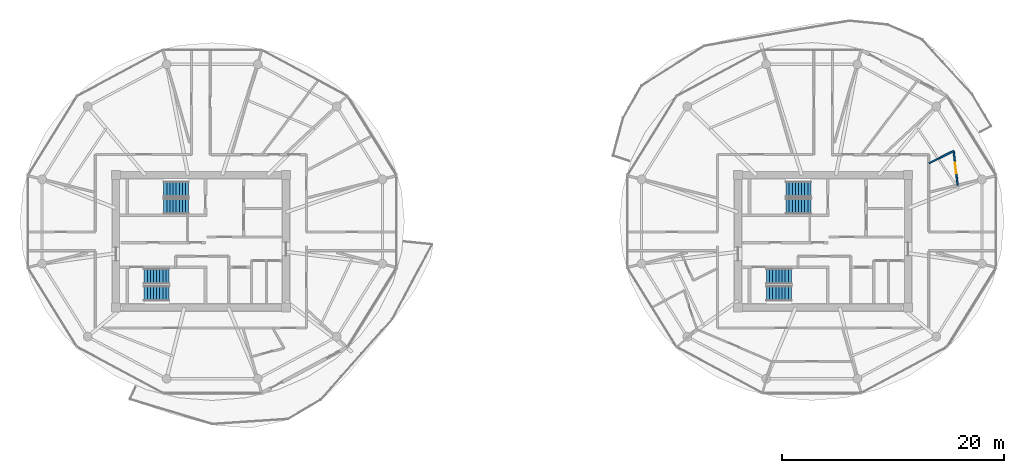
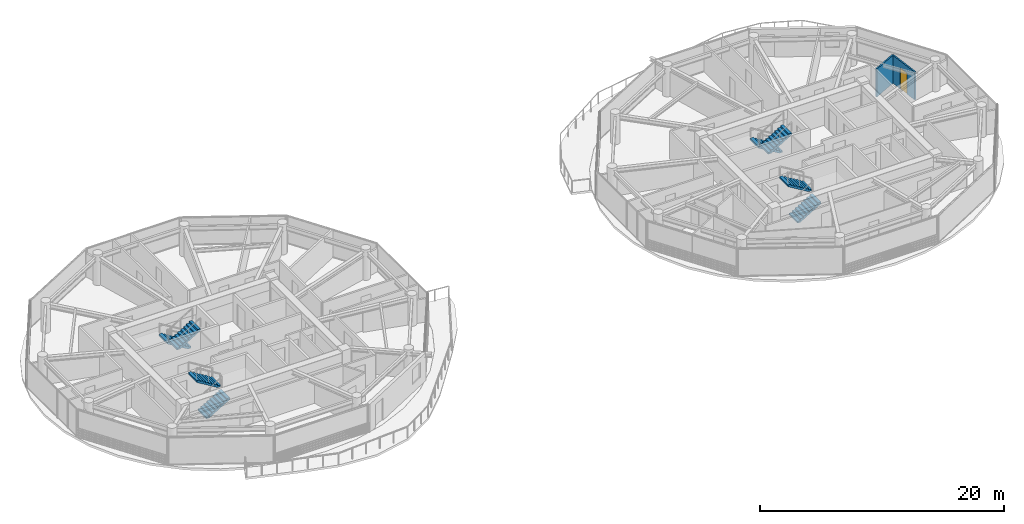
# One storey, part 17 of 22: 8 stair flights, 2 walls, 1 door, 1 opening, 4 elements without a shape of their own.
"""IFC4 building model written with IfcOpenShell, lengths in metres."""

from ifc_helpers import new_model, si_unit, direction, frame, frame_2d, origin, place, context, subcontext, project, spatial, polyline, rectangle, outline, extrude, source, transform, mapped, material, layer, layer_set, type_object, type_shapes, element, fill, aggregate, save


model = new_model("IFC4")

# Units and contexts
model_context = context("Model", 3, precision=1e-05, world=origin(), true_north=direction((0.0, 1.0)))
body_context = subcontext(model_context, "Body", "Model", "MODEL_VIEW")
ifc_project = project(units=[si_unit("LENGTHUNIT", "METRE"), si_unit("AREAUNIT", "SQUARE_METRE"), si_unit("VOLUMEUNIT", "CUBIC_METRE"), si_unit("PLANEANGLEUNIT", "RADIAN"), si_unit("MASSUNIT", "GRAM", prefix="KILO")], contexts=[model_context])

# Site, building, storey
site_placement = place(None, origin())
site = spatial("IfcSite", under=ifc_project, at=site_placement, CompositionType="ELEMENT")
building_placement = place(site_placement, origin())
building = spatial("IfcBuilding", under=site, at=building_placement, Name="Norrkilde Senior Care Towers", CompositionType="ELEMENT")
storey_placement = place(building_placement, frame((0.0, 0.0, 180.050048828125)))
storey = spatial("IfcBuildingStorey", under=building, at=storey_placement, Name="L56", CompositionType="ELEMENT", Elevation=180.050048828125)

# Wall
ifc_material_1 = material(Name="Gypsum Acoustic Board")
ifc_layer = layer(ifc_material_1, 0.139892578125)
ifc_layer_set = layer_set([ifc_layer], Name="Gypsum Acoustic Board")
wall_type = type_object("IfcWallType", Name="En-suite Wet Room Wall 140", PredefinedType="PARTITIONING", material=ifc_layer_set)
shared_shape_1 = source(origin(), body_context, "Body", "SweptSolid", [
    extrude(rectangle(XDim=2.470703125, YDim=0.139892578125, at=frame_2d((1.2353515625, 0.0))), origin(), (0.0, 0.0, 1.0), 2.794921875),
])
wall_1_placement = place(storey_placement, frame((37.530029296875, 7.026123046875, 0.0), z_axis=(0.0, 0.0, 1.0), x_axis=(0.895295102372, 0.445473545419, 0.0)))
element("IfcWall", 1, at=wall_1_placement, inside=storey, type_object=wall_type, Name="WL-INT-L56-E-ES-00", PredefinedType="PARTITIONING", context=body_context, shape_type="MappedRepresentation", body=[
    mapped(shared_shape_1, transform((0.0, 0.0, 0.0), x_axis=(1.0, 0.0, 0.0), y_axis=(0.0, 1.0, 0.0), z_axis=(0.0, 0.0, 1.0), scale=1.0)),
])

# Wall, opening, door
shared_shape_2 = source(origin(), body_context, "Body", "SweptSolid", [
    extrude(rectangle(XDim=3.10107421875, YDim=0.139892578125, at=frame_2d((1.550537109375, 0.0))), origin(), (0.0, 0.0, 1.0), 2.794921875),
])
type_shapes(wall_type, [shared_shape_1, shared_shape_2])
wall_2_placement = place(storey_placement, frame((39.741943359375, 8.126708984375, 0.0), z_axis=(0.0, 0.0, 1.0), x_axis=(0.116754457614, -0.993160811061, 0.0)))
wall_2 = element("IfcWall", 2, at=wall_2_placement, inside=storey, type_object=wall_type, Name="WL-INT-L56-E-EF-00", PredefinedType="PARTITIONING", context=body_context, shape_type="MappedRepresentation", body=[
    mapped(shared_shape_2, transform((0.0, 0.0, 0.0), x_axis=(1.0, 0.0, 0.0), y_axis=(0.0, 1.0, 0.0), z_axis=(0.0, 0.0, 1.0), scale=1.0)),
])
opening_placement = place(wall_2_placement, frame((1.09033203125, 0.0, 0.0)))
opening = element("IfcOpeningElement", 3, at=opening_placement, cuts=wall_2, Name="Opening D-08", PredefinedType="OPENING", context=body_context, shape_type="SweptSolid", body=[
    extrude(rectangle(XDim=0.919921875, YDim=2.10009765625, at=frame_2d((0.4599609375, 1.050048828125))), frame((0.0, 0.079833984375, 0.0), z_axis=(0.0, -1.0, 0.0), x_axis=(1.0, 0.0, 0.0)), (0.0, 0.0, 1.0), 0.159912109375),
])
ifc_material_2 = material(Name="Nordic Ash Timber", Category="wood")
door_type = type_object("IfcDoorType", Name="Accessible Wet Room Door 920x2100", OperationType="NOTDEFINED", PredefinedType="DOOR", material=ifc_material_2)
shared_shape_3 = source(origin(), body_context, "Body", "SweptSolid", [
    extrude(rectangle(XDim=0.919921875, YDim=2.10009765625, at=frame_2d((0.4599609375, 1.050048828125))), frame((0.0, 0.02490234375, 0.0), z_axis=(0.0, -1.0, 0.0), x_axis=(1.0, 0.0, 0.0)), (0.0, 0.0, 1.0), 0.050048828125),
])
type_shapes(door_type, [shared_shape_3])
door_placement = place(opening_placement, origin())
door = element("IfcDoor", 4, at=door_placement, inside=storey, type_object=door_type, Name="L56 Studio 56A Bathroom Door", OperationType="SINGLE_SWING_RIGHT", OverallHeight=2.10009765625, OverallWidth=0.919921875, PredefinedType="DOOR", context=body_context, shape_type="MappedRepresentation", body=[
    mapped(shared_shape_3, transform((0.0, 0.0, 0.0), x_axis=(1.0, 0.0, 0.0), y_axis=(0.0, 1.0, 0.0), z_axis=(0.0, 0.0, 1.0), scale=1.0)),
])
fill(opening, door)

# Stair, stair flights
ifc_material_3 = material(Name="Concrete C45/55", Category="concrete")
stair_type = type_object("IfcStairType", Name="Core Protected Dogleg Stair Typical 3050", PredefinedType="HALF_TURN_STAIR", material=ifc_material_3)
stair_1_placement = place(storey_placement, origin())
stair_1 = element("IfcStair", 5, at=stair_1_placement, inside=storey, type_object=stair_type, Name="L56 Protected Core Stair W1", PredefinedType="HALF_TURN_STAIR")
stair_flight_type = type_object("IfcStairFlightType", Name="Core Protected Dogleg Stair Typical 3050 Flight", PredefinedType="STRAIGHT", material=ifc_material_3)
stair_flight_1_placement = place(storey_placement, frame((-29.10009765625, 4.699951171875, 0.0), z_axis=(0.0, 0.0, 1.0), x_axis=(-1.0, 0.0, 0.0)))
stair_flight_1 = element("IfcStairFlight", 6, at=stair_flight_1_placement, type_object=stair_flight_type, Name="ST-W1 flight 1", NumberOfRisers=9, NumberOfTreads=8, PredefinedType="STRAIGHT", RiserHeight=0.169444444, TreadLength=0.28, context=body_context, shape_type="SweptSolid", body=[
    extrude(outline(polyline([(0.0, 0.0), (0.0, 0.16943359375), (0.280029296875, 0.16943359375), (0.280029296875, 0.3388671875), (0.56005859375, 0.3388671875), (0.56005859375, 0.50830078125), (0.840087890625, 0.50830078125), (0.840087890625, 0.677734375), (1.1201171875, 0.677734375), (1.1201171875, 0.84716796875), (1.39990234375, 0.84716796875), (1.39990234375, 1.0166015625), (1.679931640625, 1.0166015625), (1.679931640625, 1.18603515625), (1.9599609375, 1.18603515625), (1.9599609375, 1.35546875), (2.239990234375, 1.35546875), (2.239990234375, 1.52490234375), (2.239990234375, 1.180419921875), (0.28955078125, 0.0), (0.0, 0.0)])), frame((0.0, 0.699951171875, 0.0), z_axis=(0.0, -1.0, 0.0), x_axis=(1.0, 0.0, 0.0)), (0.0, 0.0, 1.0), 1.39990234375),
])
stair_flight_2_placement = place(storey_placement, frame((-31.340087890625, 3.14990234375, 1.52490234375), z_axis=(0.0, 0.0, 1.0), x_axis=(1.0, 0.0, 0.0)))
stair_flight_2 = element("IfcStairFlight", 7, at=stair_flight_2_placement, type_object=stair_flight_type, Name="ST-W1 flight 2", NumberOfRisers=9, NumberOfTreads=8, PredefinedType="STRAIGHT", RiserHeight=0.169444444, TreadLength=0.28, context=body_context, shape_type="SweptSolid", body=[
    extrude(outline(polyline([(0.0, 0.0), (0.0, 0.16943359375), (0.280029296875, 0.16943359375), (0.280029296875, 0.3388671875), (0.56005859375, 0.3388671875), (0.56005859375, 0.50830078125), (0.840087890625, 0.50830078125), (0.840087890625, 0.677734375), (1.1201171875, 0.677734375), (1.1201171875, 0.84716796875), (1.39990234375, 0.84716796875), (1.39990234375, 1.0166015625), (1.679931640625, 1.0166015625), (1.679931640625, 1.18603515625), (1.9599609375, 1.18603515625), (1.9599609375, 1.35546875), (2.239990234375, 1.35546875), (2.239990234375, 1.52490234375), (2.239990234375, 1.180419921875), (0.28955078125, 0.0), (0.0, 0.0)])), frame((0.0, 0.699951171875, 0.0), z_axis=(0.0, -1.0, 0.0), x_axis=(1.0, 0.0, 0.0)), (0.0, 0.0, 1.0), 1.39990234375),
])
aggregate(stair_1, [stair_flight_1, stair_flight_2])

stair_2_placement = place(storey_placement, origin())
stair_2 = element("IfcStair", 8, at=stair_2_placement, inside=storey, type_object=stair_type, Name="L56 Protected Core Stair W2", PredefinedType="HALF_TURN_STAIR")
stair_flight_3_placement = place(storey_placement, frame((-33.10009765625, -4.699951171875, 0.0), z_axis=(0.0, 0.0, 1.0), x_axis=(1.0, 0.0, 0.0)))
stair_flight_3 = element("IfcStairFlight", 9, at=stair_flight_3_placement, type_object=stair_flight_type, Name="ST-W2 flight 1", NumberOfRisers=9, NumberOfTreads=8, PredefinedType="STRAIGHT", RiserHeight=0.169444444, TreadLength=0.28, context=body_context, shape_type="SweptSolid", body=[
    extrude(outline(polyline([(0.0, 0.0), (0.0, 0.16943359375), (0.280029296875, 0.16943359375), (0.280029296875, 0.3388671875), (0.56005859375, 0.3388671875), (0.56005859375, 0.50830078125), (0.840087890625, 0.50830078125), (0.840087890625, 0.677734375), (1.1201171875, 0.677734375), (1.1201171875, 0.84716796875), (1.39990234375, 0.84716796875), (1.39990234375, 1.0166015625), (1.679931640625, 1.0166015625), (1.679931640625, 1.18603515625), (1.9599609375, 1.18603515625), (1.9599609375, 1.35546875), (2.239990234375, 1.35546875), (2.239990234375, 1.52490234375), (2.239990234375, 1.180419921875), (0.28955078125, 0.0), (0.0, 0.0)])), frame((0.0, 0.699951171875, 0.0), z_axis=(0.0, -1.0, 0.0), x_axis=(1.0, 0.0, 0.0)), (0.0, 0.0, 1.0), 1.39990234375),
])
stair_flight_4_placement = place(storey_placement, frame((-30.860107421875, -3.14990234375, 1.52490234375), z_axis=(0.0, 0.0, 1.0), x_axis=(-1.0, 0.0, 0.0)))
stair_flight_4 = element("IfcStairFlight", 10, at=stair_flight_4_placement, type_object=stair_flight_type, Name="ST-W2 flight 2", NumberOfRisers=9, NumberOfTreads=8, PredefinedType="STRAIGHT", RiserHeight=0.169444444, TreadLength=0.28, context=body_context, shape_type="SweptSolid", body=[
    extrude(outline(polyline([(0.0, 0.0), (0.0, 0.16943359375), (0.280029296875, 0.16943359375), (0.280029296875, 0.3388671875), (0.56005859375, 0.3388671875), (0.56005859375, 0.50830078125), (0.840087890625, 0.50830078125), (0.840087890625, 0.677734375), (1.1201171875, 0.677734375), (1.1201171875, 0.84716796875), (1.39990234375, 0.84716796875), (1.39990234375, 1.0166015625), (1.679931640625, 1.0166015625), (1.679931640625, 1.18603515625), (1.9599609375, 1.18603515625), (1.9599609375, 1.35546875), (2.239990234375, 1.35546875), (2.239990234375, 1.52490234375), (2.239990234375, 1.180419921875), (0.28955078125, 0.0), (0.0, 0.0)])), frame((0.0, 0.699951171875, 0.0), z_axis=(0.0, -1.0, 0.0), x_axis=(1.0, 0.0, 0.0)), (0.0, 0.0, 1.0), 1.39990234375),
])
aggregate(stair_2, [stair_flight_3, stair_flight_4])

stair_3_placement = place(storey_placement, origin())
stair_3 = element("IfcStair", 11, at=stair_3_placement, inside=storey, type_object=stair_type, Name="L56 Protected Core Stair E1", PredefinedType="HALF_TURN_STAIR")
stair_flight_5_placement = place(storey_placement, frame((26.89990234375, 4.699951171875, 0.0), z_axis=(0.0, 0.0, 1.0), x_axis=(-1.0, 0.0, 0.0)))
stair_flight_5 = element("IfcStairFlight", 12, at=stair_flight_5_placement, type_object=stair_flight_type, Name="ST-E1 flight 1", NumberOfRisers=9, NumberOfTreads=8, PredefinedType="STRAIGHT", RiserHeight=0.169444444, TreadLength=0.28, context=body_context, shape_type="SweptSolid", body=[
    extrude(outline(polyline([(0.0, 0.0), (0.0, 0.16943359375), (0.280029296875, 0.16943359375), (0.280029296875, 0.3388671875), (0.56005859375, 0.3388671875), (0.56005859375, 0.50830078125), (0.840087890625, 0.50830078125), (0.840087890625, 0.677734375), (1.1201171875, 0.677734375), (1.1201171875, 0.84716796875), (1.39990234375, 0.84716796875), (1.39990234375, 1.0166015625), (1.679931640625, 1.0166015625), (1.679931640625, 1.18603515625), (1.9599609375, 1.18603515625), (1.9599609375, 1.35546875), (2.239990234375, 1.35546875), (2.239990234375, 1.52490234375), (2.239990234375, 1.180419921875), (0.28955078125, 0.0), (0.0, 0.0)])), frame((0.0, 0.699951171875, 0.0), z_axis=(0.0, -1.0, 0.0), x_axis=(1.0, 0.0, 0.0)), (0.0, 0.0, 1.0), 1.39990234375),
])
stair_flight_6_placement = place(storey_placement, frame((24.659912109375, 3.14990234375, 1.52490234375), z_axis=(0.0, 0.0, 1.0), x_axis=(1.0, 0.0, 0.0)))
stair_flight_6 = element("IfcStairFlight", 13, at=stair_flight_6_placement, type_object=stair_flight_type, Name="ST-E1 flight 2", NumberOfRisers=9, NumberOfTreads=8, PredefinedType="STRAIGHT", RiserHeight=0.169444444, TreadLength=0.28, context=body_context, shape_type="SweptSolid", body=[
    extrude(outline(polyline([(0.0, 0.0), (0.0, 0.16943359375), (0.280029296875, 0.16943359375), (0.280029296875, 0.3388671875), (0.56005859375, 0.3388671875), (0.56005859375, 0.50830078125), (0.840087890625, 0.50830078125), (0.840087890625, 0.677734375), (1.1201171875, 0.677734375), (1.1201171875, 0.84716796875), (1.39990234375, 0.84716796875), (1.39990234375, 1.0166015625), (1.679931640625, 1.0166015625), (1.679931640625, 1.18603515625), (1.9599609375, 1.18603515625), (1.9599609375, 1.35546875), (2.239990234375, 1.35546875), (2.239990234375, 1.52490234375), (2.239990234375, 1.180419921875), (0.28955078125, 0.0), (0.0, 0.0)])), frame((0.0, 0.699951171875, 0.0), z_axis=(0.0, -1.0, 0.0), x_axis=(1.0, 0.0, 0.0)), (0.0, 0.0, 1.0), 1.39990234375),
])
aggregate(stair_3, [stair_flight_5, stair_flight_6])

stair_4_placement = place(storey_placement, origin())
stair_4 = element("IfcStair", 14, at=stair_4_placement, inside=storey, type_object=stair_type, Name="L56 Protected Core Stair E2", PredefinedType="HALF_TURN_STAIR")
stair_flight_7_placement = place(storey_placement, frame((22.89990234375, -4.699951171875, 0.0), z_axis=(0.0, 0.0, 1.0), x_axis=(1.0, 0.0, 0.0)))
stair_flight_7 = element("IfcStairFlight", 15, at=stair_flight_7_placement, type_object=stair_flight_type, Name="ST-E2 flight 1", NumberOfRisers=9, NumberOfTreads=8, PredefinedType="STRAIGHT", RiserHeight=0.169444444, TreadLength=0.28, context=body_context, shape_type="SweptSolid", body=[
    extrude(outline(polyline([(0.0, 0.0), (0.0, 0.16943359375), (0.280029296875, 0.16943359375), (0.280029296875, 0.3388671875), (0.56005859375, 0.3388671875), (0.56005859375, 0.50830078125), (0.840087890625, 0.50830078125), (0.840087890625, 0.677734375), (1.1201171875, 0.677734375), (1.1201171875, 0.84716796875), (1.39990234375, 0.84716796875), (1.39990234375, 1.0166015625), (1.679931640625, 1.0166015625), (1.679931640625, 1.18603515625), (1.9599609375, 1.18603515625), (1.9599609375, 1.35546875), (2.239990234375, 1.35546875), (2.239990234375, 1.52490234375), (2.239990234375, 1.180419921875), (0.28955078125, 0.0), (0.0, 0.0)])), frame((0.0, 0.699951171875, 0.0), z_axis=(0.0, -1.0, 0.0), x_axis=(1.0, 0.0, 0.0)), (0.0, 0.0, 1.0), 1.39990234375),
])
stair_flight_8_placement = place(storey_placement, frame((25.139892578125, -3.14990234375, 1.52490234375), z_axis=(0.0, 0.0, 1.0), x_axis=(-1.0, 0.0, 0.0)))
stair_flight_8 = element("IfcStairFlight", 16, at=stair_flight_8_placement, type_object=stair_flight_type, Name="ST-E2 flight 2", NumberOfRisers=9, NumberOfTreads=8, PredefinedType="STRAIGHT", RiserHeight=0.169444444, TreadLength=0.28, context=body_context, shape_type="SweptSolid", body=[
    extrude(outline(polyline([(0.0, 0.0), (0.0, 0.16943359375), (0.280029296875, 0.16943359375), (0.280029296875, 0.3388671875), (0.56005859375, 0.3388671875), (0.56005859375, 0.50830078125), (0.840087890625, 0.50830078125), (0.840087890625, 0.677734375), (1.1201171875, 0.677734375), (1.1201171875, 0.84716796875), (1.39990234375, 0.84716796875), (1.39990234375, 1.0166015625), (1.679931640625, 1.0166015625), (1.679931640625, 1.18603515625), (1.9599609375, 1.18603515625), (1.9599609375, 1.35546875), (2.239990234375, 1.35546875), (2.239990234375, 1.52490234375), (2.239990234375, 1.180419921875), (0.28955078125, 0.0), (0.0, 0.0)])), frame((0.0, 0.699951171875, 0.0), z_axis=(0.0, -1.0, 0.0), x_axis=(1.0, 0.0, 0.0)), (0.0, 0.0, 1.0), 1.39990234375),
])
aggregate(stair_4, [stair_flight_7, stair_flight_8])

save(model, "model.ifc")
